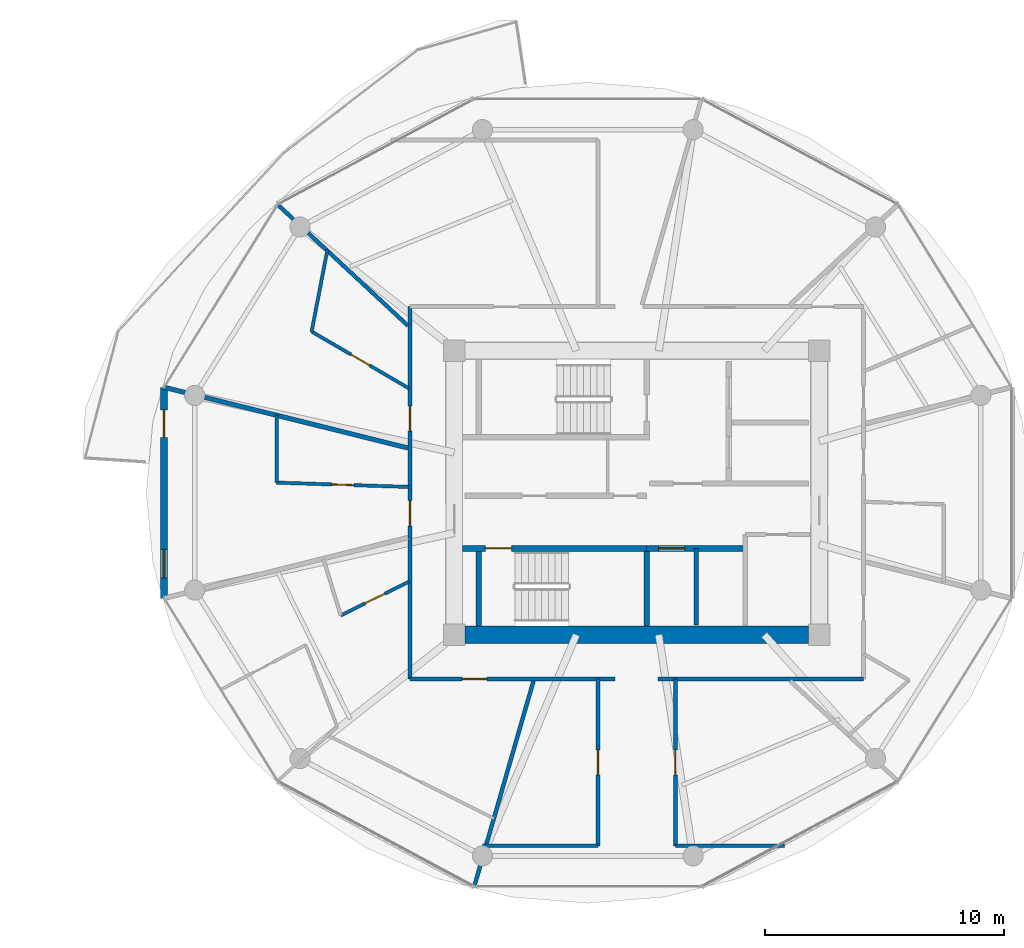
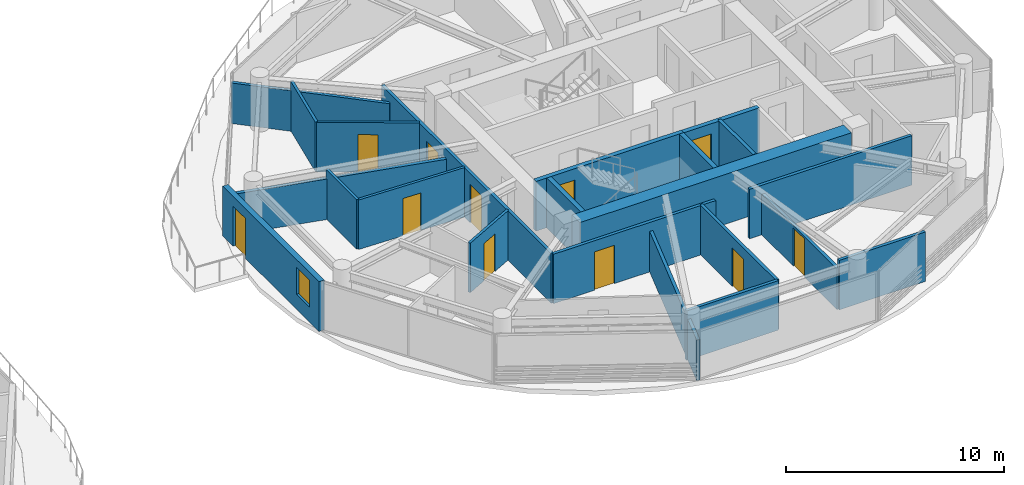
# One storey, part 16 of 22: 22 walls, 11 doors, 1 window, 12 openings.
"""IFC4 building model written with IfcOpenShell, lengths in metres."""

from ifc_helpers import new_model, si_unit, direction, frame, frame_2d, origin, place, context, subcontext, project, spatial, rectangle, extrude, source, transform, mapped, material, layer, layer_set, type_object, type_shapes, element, fill, save


model = new_model("IFC4")

# Units and contexts
model_context = context("Model", 3, precision=1e-05, world=origin(), true_north=direction((0.0, 1.0)))
body_context = subcontext(model_context, "Body", "Model", "MODEL_VIEW")
ifc_project = project(units=[si_unit("LENGTHUNIT", "METRE"), si_unit("AREAUNIT", "SQUARE_METRE"), si_unit("VOLUMEUNIT", "CUBIC_METRE"), si_unit("PLANEANGLEUNIT", "RADIAN"), si_unit("MASSUNIT", "GRAM", prefix="KILO")], contexts=[model_context])

# Site, building, storey
site_placement = place(None, origin())
site = spatial("IfcSite", under=ifc_project, at=site_placement, CompositionType="ELEMENT")
building_placement = place(site_placement, origin())
building = spatial("IfcBuilding", under=site, at=building_placement, Name="Norrkilde Senior Care Towers", CompositionType="ELEMENT")
storey_placement = place(building_placement, frame((0.0, 0.0, 120.64990234375)))
storey = spatial("IfcBuildingStorey", under=building, at=storey_placement, Name="L37", CompositionType="ELEMENT", Elevation=120.64990234375)

# Wall
ifc_material_1 = material(Name="Concrete C60/75", Category="concrete")
ifc_layer_1 = layer(ifc_material_1, 0.719970703125)
ifc_layer_set_1 = layer_set([ifc_layer_1], Name="Concrete C60/75")
wall_type_1 = type_object("IfcWallType", Name="Core Shear Wall Z2 720", PredefinedType="SHEAR", material=ifc_layer_set_1)
shared_shape_1 = source(origin(), body_context, "Body", "SweptSolid", [
    extrude(rectangle(XDim=14.39990234375, YDim=0.719970703125, at=frame_2d((7.199951171875, 0.0))), origin(), (0.0, 0.0, 1.0), 2.7900390625),
])
type_shapes(wall_type_1, [shared_shape_1])
wall_1_placement = place(storey_placement, frame((35.199951171875, -5.949951171875, 0.0), z_axis=(0.0, 0.0, 1.0), x_axis=(-1.0, 0.0, 0.0)))
element("IfcWall", 1, at=wall_1_placement, inside=storey, type_object=wall_type_1, Name="L37 Core E South Shear Wall", PredefinedType="SHEAR", context=body_context, shape_type="MappedRepresentation", body=[
    mapped(shared_shape_1, transform((0.0, 0.0, 0.0), x_axis=(1.0, 0.0, 0.0), y_axis=(0.0, 1.0, 0.0), z_axis=(0.0, 0.0, 1.0), scale=1.0)),
])

# Wall, openings, door, window
ifc_material_2 = material(Name="Precast concrete C45/55", Category="concrete")
ifc_layer_2 = layer(ifc_material_2, 0.2900390625)
ifc_layer_set_2 = layer_set([ifc_layer_2], Name="Precast concrete C45/55")
wall_type_2 = type_object("IfcWallType", Name="Winter Garden Facade Wall 290", PredefinedType="SOLIDWALL", material=ifc_layer_set_2)
shared_shape_2 = source(origin(), body_context, "Body", "SweptSolid", [
    extrude(rectangle(XDim=8.84130859375, YDim=0.2900390625, at=frame_2d((4.420654296875, 0.0))), origin(), (0.0, 0.0, 1.0), 2.7900390625),
])
type_shapes(wall_type_2, [shared_shape_2])
wall_2_placement = place(storey_placement, frame((8.1962890625, -4.420654296875, 0.0), z_axis=(0.0, 0.0, 1.0), x_axis=(0.0, 1.0, 0.0)))
wall_2 = element("IfcWall", 2, at=wall_2_placement, inside=storey, type_object=wall_type_2, Name="L37 Drum E Balcony Access Wall 05", PredefinedType="SOLIDWALL", context=body_context, shape_type="MappedRepresentation", body=[
    mapped(shared_shape_2, transform((0.0, 0.0, 0.0), x_axis=(1.0, 0.0, 0.0), y_axis=(0.0, 1.0, 0.0), z_axis=(0.0, 0.0, 1.0), scale=1.0)),
])
opening_1_placement = place(wall_2_placement, frame((6.739990234375, 0.0, 0.0)))
opening_1 = element("IfcOpeningElement", 3, at=opening_1_placement, cuts=wall_2, Name="Opening D-09", PredefinedType="OPENING", context=body_context, shape_type="SweptSolid", body=[
    extrude(rectangle(XDim=1.14990234375, YDim=2.25, at=frame_2d((0.574951171875, 1.125))), frame((0.0, 0.155029296875, 0.0), z_axis=(0.0, -1.0, 0.0), x_axis=(1.0, 0.0, 0.0)), (0.0, 0.0, 1.0), 0.31005859375),
])
opening_2_placement = place(wall_2_placement, frame((0.85009765625, 0.0, 0.85009765625)))
opening_2 = element("IfcOpeningElement", 4, at=opening_2_placement, cuts=wall_2, Name="Opening WN-07", PredefinedType="OPENING", context=body_context, shape_type="SweptSolid", body=[
    extrude(rectangle(XDim=1.199951171875, YDim=1.5, at=frame_2d((0.60009765625, 0.75))), frame((0.0, 0.155029296875, 0.0), z_axis=(0.0, -1.0, 0.0), x_axis=(1.0, 0.0, 0.0)), (0.0, 0.0, 1.0), 0.31005859375),
])
ifc_material_3 = material(Name="Anodised Aluminium", Category="aluminium")
door_type_1 = type_object("IfcDoorType", Name="Terrace and Balcony Glazed Door 1150x2250", OperationType="NOTDEFINED", PredefinedType="DOOR", material=ifc_material_3)
shared_shape_3 = source(origin(), body_context, "Body", "SweptSolid", [
    extrude(rectangle(XDim=1.14990234375, YDim=2.25, at=frame_2d((0.574951171875, 1.125))), frame((0.0, 0.02490234375, 0.0), z_axis=(0.0, -1.0, 0.0), x_axis=(1.0, 0.0, 0.0)), (0.0, 0.0, 1.0), 0.050048828125),
])
type_shapes(door_type_1, [shared_shape_3])
door_1_placement = place(opening_1_placement, origin())
door_1 = element("IfcDoor", 5, at=door_1_placement, inside=storey, type_object=door_type_1, Name="L37 Drum E Outdoor Terrace Door 05", OperationType="SINGLE_SWING_RIGHT", OverallHeight=2.25, OverallWidth=1.14990234375, PredefinedType="DOOR", context=body_context, shape_type="MappedRepresentation", body=[
    mapped(shared_shape_3, transform((0.0, 0.0, 0.0), x_axis=(1.0, 0.0, 0.0), y_axis=(0.0, 1.0, 0.0), z_axis=(0.0, 0.0, 1.0), scale=1.0)),
])
fill(opening_1, door_1)
ifc_material_4 = material(Name="Triple Low-E Insulated Glazing", Category="glass")
window_type = type_object("IfcWindowType", Name="Stairwell Smoke Vent Window 1200x1500", PartitioningType="SINGLE_PANEL", PredefinedType="WINDOW", material=ifc_material_4)
shared_shape_4 = source(origin(), body_context, "Body", "SweptSolid", [
    extrude(rectangle(XDim=1.199951171875, YDim=1.5, at=frame_2d((0.60009765625, 0.75))), frame((0.0, 0.030029296875, 0.0), z_axis=(0.0, -1.0, 0.0), x_axis=(1.0, 0.0, 0.0)), (0.0, 0.0, 1.0), 0.06005859375),
])
type_shapes(window_type, [shared_shape_4])
window_placement = place(opening_2_placement, origin())
window = element("IfcWindow", 6, at=window_placement, inside=storey, type_object=window_type, Name="L37 Drum E Winter Garden Window 05", OverallHeight=1.5, OverallWidth=1.199951171875, PartitioningType="SINGLE_PANEL", PredefinedType="WINDOW", context=body_context, shape_type="MappedRepresentation", body=[
    mapped(shared_shape_4, transform((0.0, 0.0, 0.0), x_axis=(1.0, 0.0, 0.0), y_axis=(0.0, 1.0, 0.0), z_axis=(0.0, 0.0, 1.0), scale=1.0)),
])
fill(opening_2, window)

# Wall, opening, door
ifc_material_5 = material(Name="Concrete C45/55", Category="concrete")
ifc_layer_3 = layer(ifc_material_5, 0.239990234375)
ifc_layer_set_3 = layer_set([ifc_layer_3], Name="Concrete C45/55")
wall_type_3 = type_object("IfcWallType", Name="Lift and Plant Rated Enclosure Partition 240", PredefinedType="PARTITIONING", material=ifc_layer_set_3)
shared_shape_5 = source(origin(), body_context, "Body", "SweptSolid", [
    extrude(rectangle(XDim=4.130126953125, YDim=0.239990234375, at=frame_2d((2.06494140625, 0.0))), origin(), (0.0, 0.0, 1.0), 2.775146484375),
])
type_shapes(wall_type_3, [shared_shape_5])
wall_3_placement = place(storey_placement, frame((28.419921875, -2.330078125, 0.0), z_axis=(0.0, 0.0, 1.0), x_axis=(1.0, 0.0, 0.0)))
wall_3 = element("IfcWall", 7, at=wall_3_placement, inside=storey, type_object=wall_type_3, Name="WL-INT-L37-E-PKBN", PredefinedType="PARTITIONING", context=body_context, shape_type="MappedRepresentation", body=[
    mapped(shared_shape_5, transform((0.0, 0.0, 0.0), x_axis=(1.0, 0.0, 0.0), y_axis=(0.0, 1.0, 0.0), z_axis=(0.0, 0.0, 1.0), scale=1.0)),
])
opening_3_placement = place(wall_3_placement, frame((0.5, 0.0, 0.0)))
opening_3 = element("IfcOpeningElement", 8, at=opening_3_placement, cuts=wall_3, Name="Opening LD-01", PredefinedType="OPENING", context=body_context, shape_type="SweptSolid", body=[
    extrude(rectangle(XDim=1.10009765625, YDim=2.199951171875, at=frame_2d((0.550048828125, 1.10009765625))), frame((0.0, 0.1298828125, 0.0), z_axis=(0.0, -1.0, 0.0), x_axis=(1.0, 0.0, 0.0)), (0.0, 0.0, 1.0), 0.260009765625),
])
ifc_material_6 = material(Name="Stainless Steel", Category="steel")
door_type_2 = type_object("IfcDoorType", Name="Lift Landing Sliding Door 1100x2200", OperationType="NOTDEFINED", PredefinedType="DOOR", material=ifc_material_6)
shared_shape_6 = source(origin(), body_context, "Body", "SweptSolid", [
    extrude(rectangle(XDim=1.10009765625, YDim=2.199951171875, at=frame_2d((0.550048828125, 1.10009765625))), frame((0.0, 0.02490234375, 0.0), z_axis=(0.0, -1.0, 0.0), x_axis=(1.0, 0.0, 0.0)), (0.0, 0.0, 1.0), 0.050048828125),
])
type_shapes(door_type_2, [shared_shape_6])
door_2_placement = place(opening_3_placement, frame((1.10009765625, 0.0, 0.0), z_axis=(0.0, 0.0, 1.0), x_axis=(-1.0, 0.0, 0.0)))
door_2 = element("IfcDoor", 9, at=door_2_placement, inside=storey, type_object=door_type_2, Name="L37 Passenger Lift E3 Landing Door", OperationType="SLIDING_TO_LEFT", OverallHeight=2.199951171875, OverallWidth=1.10009765625, PredefinedType="DOOR", context=body_context, shape_type="MappedRepresentation", body=[
    mapped(shared_shape_6, transform((0.0, 0.0, 0.0), x_axis=(1.0, 0.0, 0.0), y_axis=(0.0, 1.0, 0.0), z_axis=(0.0, 0.0, 1.0), scale=1.0)),
])
fill(opening_3, door_2)

# Wall
ifc_layer_4 = layer(ifc_material_5, 0.179931640625)
ifc_layer_set_4 = layer_set([ifc_layer_4], Name="Concrete C45/55")
wall_type_4 = type_object("IfcWallType", Name="Hoistway Division Rated Partition 180", PredefinedType="PARTITIONING", material=ifc_layer_set_4)
shared_shape_7 = source(origin(), body_context, "Body", "SweptSolid", [
    extrude(rectangle(XDim=3.219970703125, YDim=0.179931640625, at=frame_2d((1.60986328125, 0.0))), origin(), (0.0, 0.0, 1.0), 2.775146484375),
])
type_shapes(wall_type_4, [shared_shape_7])
wall_4_placement = place(storey_placement, frame((30.5, -5.550048828125, 0.0), z_axis=(0.0, 0.0, 1.0), x_axis=(0.0, 1.0, 0.0)))
element("IfcWall", 10, at=wall_4_placement, inside=storey, type_object=wall_type_4, Name="WL-INT-L37-E-PL34", PredefinedType="PARTITIONING", context=body_context, shape_type="MappedRepresentation", body=[
    mapped(shared_shape_7, transform((0.0, 0.0, 0.0), x_axis=(1.0, 0.0, 0.0), y_axis=(0.0, 1.0, 0.0), z_axis=(0.0, 0.0, 1.0), scale=1.0)),
])

# Wall, openings, doors
ifc_material_7 = material(Name="Gypsum Acoustic Board")
ifc_layer_5 = layer(ifc_material_7, 0.1650390625)
ifc_layer_set_5 = layer_set([ifc_layer_5], Name="Gypsum Acoustic Board")
wall_type_5 = type_object("IfcWallType", Name="Corridor Rated Partition 165", PredefinedType="PARTITIONING", material=ifc_layer_set_5)
shared_shape_8 = source(origin(), body_context, "Body", "SweptSolid", [
    extrude(rectangle(XDim=15.60009765625, YDim=0.1650390625, at=frame_2d((7.800048828125, 0.0))), origin(), (0.0, 0.0, 1.0), 2.775146484375),
])
wall_5_placement = place(storey_placement, frame((18.5, -7.800048828125, 0.0), z_axis=(0.0, 0.0, 1.0), x_axis=(0.0, 1.0, 0.0)))
wall_5 = element("IfcWall", 11, at=wall_5_placement, inside=storey, type_object=wall_type_5, Name="WL-INT-L37-E-CRW-W-0", PredefinedType="PARTITIONING", context=body_context, shape_type="MappedRepresentation", body=[
    mapped(shared_shape_8, transform((0.0, 0.0, 0.0), x_axis=(1.0, 0.0, 0.0), y_axis=(0.0, 1.0, 0.0), z_axis=(0.0, 0.0, 1.0), scale=1.0)),
])
opening_4_placement = place(wall_5_placement, frame((10.3828125, 0.0, 0.0)))
opening_4 = element("IfcOpeningElement", 12, at=opening_4_placement, cuts=wall_5, Name="Opening D-06", PredefinedType="OPENING", context=body_context, shape_type="SweptSolid", body=[
    extrude(rectangle(XDim=1.050048828125, YDim=2.14990234375, at=frame_2d((0.52490234375, 1.074951171875))), frame((0.0, 0.092529296875, 0.0), z_axis=(0.0, -1.0, 0.0), x_axis=(1.0, 0.0, 0.0)), (0.0, 0.0, 1.0), 0.18505859375),
])
opening_5_placement = place(wall_5_placement, frame((6.418701171875, 0.0, 0.0)))
opening_5 = element("IfcOpeningElement", 13, at=opening_5_placement, cuts=wall_5, Name="Opening D-06", PredefinedType="OPENING", context=body_context, shape_type="SweptSolid", body=[
    extrude(rectangle(XDim=1.050048828125, YDim=2.14990234375, at=frame_2d((0.52490234375, 1.074951171875))), frame((0.0, 0.092529296875, 0.0), z_axis=(0.0, -1.0, 0.0), x_axis=(1.0, 0.0, 0.0)), (0.0, 0.0, 1.0), 0.18505859375),
])
ifc_material_8 = material(Name="Nordic Ash Timber", Category="wood")
door_type_3 = type_object("IfcDoorType", Name="Apartment Entrance Fire Door 1050x2150", OperationType="NOTDEFINED", PredefinedType="DOOR", material=ifc_material_8)
shared_shape_9 = source(origin(), body_context, "Body", "SweptSolid", [
    extrude(rectangle(XDim=1.050048828125, YDim=2.14990234375, at=frame_2d((0.52490234375, 1.074951171875))), frame((0.0, 0.02490234375, 0.0), z_axis=(0.0, -1.0, 0.0), x_axis=(1.0, 0.0, 0.0)), (0.0, 0.0, 1.0), 0.050048828125),
])
type_shapes(door_type_3, [shared_shape_9])
door_3_placement = place(opening_4_placement, frame((1.050048828125, 0.0, 0.0), z_axis=(0.0, 0.0, 1.0), x_axis=(-1.0, 0.0, 0.0)))
door_3 = element("IfcDoor", 14, at=door_3_placement, inside=storey, type_object=door_type_3, Name="L37 Studio 37A Entrance Door", OperationType="SINGLE_SWING_LEFT", OverallHeight=2.14990234375, OverallWidth=1.050048828125, PredefinedType="DOOR", context=body_context, shape_type="MappedRepresentation", body=[
    mapped(shared_shape_9, transform((0.0, 0.0, 0.0), x_axis=(1.0, 0.0, 0.0), y_axis=(0.0, 1.0, 0.0), z_axis=(0.0, 0.0, 1.0), scale=1.0)),
])
fill(opening_4, door_3)
door_4_placement = place(opening_5_placement, frame((1.050048828125, 0.0, 0.0), z_axis=(0.0, 0.0, 1.0), x_axis=(-1.0, 0.0, 0.0)))
door_4 = element("IfcDoor", 15, at=door_4_placement, inside=storey, type_object=door_type_3, Name="L37 Studio 37B Entrance Door", OperationType="SINGLE_SWING_RIGHT", OverallHeight=2.14990234375, OverallWidth=1.050048828125, PredefinedType="DOOR", context=body_context, shape_type="MappedRepresentation", body=[
    mapped(shared_shape_9, transform((0.0, 0.0, 0.0), x_axis=(1.0, 0.0, 0.0), y_axis=(0.0, 1.0, 0.0), z_axis=(0.0, 0.0, 1.0), scale=1.0)),
])
fill(opening_5, door_4)

# Wall, opening, door
ifc_layer_6 = layer(ifc_material_5, 0.239990234375)
ifc_layer_set_6 = layer_set([ifc_layer_6], Name="Concrete C45/55")
wall_type_6 = type_object("IfcWallType", Name="Shaft and Stair Enclosure Wall 240", PredefinedType="PARTITIONING", material=ifc_layer_set_6)
shared_shape_10 = source(origin(), body_context, "Body", "SweptSolid", [
    extrude(rectangle(XDim=7.830078125, YDim=0.239990234375, at=frame_2d((3.9150390625, 0.0))), origin(), (0.0, 0.0, 1.0), 2.7900390625),
])
wall_6_placement = place(storey_placement, frame((20.7099609375, -2.330078125, 0.0), z_axis=(0.0, 0.0, 1.0), x_axis=(1.0, 0.0, 0.0)))
wall_6 = element("IfcWall", 16, at=wall_6_placement, inside=storey, type_object=wall_type_6, Name="WL-INT-L37-E-ST2N", PredefinedType="PARTITIONING", context=body_context, shape_type="MappedRepresentation", body=[
    mapped(shared_shape_10, transform((0.0, 0.0, 0.0), x_axis=(1.0, 0.0, 0.0), y_axis=(0.0, 1.0, 0.0), z_axis=(0.0, 0.0, 1.0), scale=1.0)),
])
opening_6_placement = place(wall_6_placement, frame((0.949951171875, 0.0, 0.0)))
opening_6 = element("IfcOpeningElement", 17, at=opening_6_placement, cuts=wall_6, Name="Opening D-03", PredefinedType="OPENING", context=body_context, shape_type="SweptSolid", body=[
    extrude(rectangle(XDim=1.10009765625, YDim=2.14990234375, at=frame_2d((0.550048828125, 1.074951171875))), frame((0.0, 0.1298828125, 0.0), z_axis=(0.0, -1.0, 0.0), x_axis=(1.0, 0.0, 0.0)), (0.0, 0.0, 1.0), 0.260009765625),
])
ifc_material_9 = material(Name="Galvanised Painted Steel", Category="steel")
door_type_4 = type_object("IfcDoorType", Name="Stairwell Protected Fire Door 1100x2150", OperationType="NOTDEFINED", PredefinedType="DOOR", material=ifc_material_9)
shared_shape_11 = source(origin(), body_context, "Body", "SweptSolid", [
    extrude(rectangle(XDim=1.10009765625, YDim=2.14990234375, at=frame_2d((0.550048828125, 1.074951171875))), frame((0.0, 0.02490234375, 0.0), z_axis=(0.0, -1.0, 0.0), x_axis=(1.0, 0.0, 0.0)), (0.0, 0.0, 1.0), 0.050048828125),
])
type_shapes(door_type_4, [shared_shape_11])
door_5_placement = place(opening_6_placement, frame((1.10009765625, 0.0, 0.0), z_axis=(0.0, 0.0, 1.0), x_axis=(-1.0, 0.0, 0.0)))
door_5 = element("IfcDoor", 18, at=door_5_placement, inside=storey, type_object=door_type_4, Name="L37 Stair E2 Fire Door", OperationType="SINGLE_SWING_RIGHT", OverallHeight=2.14990234375, OverallWidth=1.10009765625, PredefinedType="DOOR", context=body_context, shape_type="MappedRepresentation", body=[
    mapped(shared_shape_11, transform((0.0, 0.0, 0.0), x_axis=(1.0, 0.0, 0.0), y_axis=(0.0, 1.0, 0.0), z_axis=(0.0, 0.0, 1.0), scale=1.0)),
])
fill(opening_6, door_5)

# Walls
shared_shape_12 = source(origin(), body_context, "Body", "SweptSolid", [
    extrude(rectangle(XDim=3.14013671875, YDim=0.239990234375, at=frame_2d((1.570068359375, 0.0))), origin(), (0.0, 0.0, 1.0), 2.7900390625),
])
type_shapes(wall_type_6, [shared_shape_10, shared_shape_12])
for number, where, z_axis, x_axis, name in (
    (19, (21.3798828125, -5.590087890625, 0.0), (0.0, 0.0, 1.0), (0.0, 1.0, 0.0), "WL-INT-L37-E-ST2W"),
    (20, (28.419921875, -5.590087890625, 0.0), (0.0, 0.0, 1.0), (0.0, 1.0, 0.0), "WL-INT-L37-E-ST2E"),
):
    element("IfcWall", number, at=place(storey_placement, frame(where, z_axis=z_axis, x_axis=x_axis)), inside=storey, type_object=wall_type_6, Name=name, PredefinedType="PARTITIONING", context=body_context, shape_type="MappedRepresentation", body=[
        mapped(shared_shape_12, transform((0.0, 0.0, 0.0), x_axis=(1.0, 0.0, 0.0), y_axis=(0.0, 1.0, 0.0), z_axis=(0.0, 0.0, 1.0), scale=1.0)),
    ])
ifc_layer_7 = layer(ifc_material_7, 0.18994140625)
ifc_layer_set_7 = layer_set([ifc_layer_7], Name="Gypsum Acoustic Board")
wall_type_7 = type_object("IfcWallType", Name="Unit Demising Acoustic Wall 190", PredefinedType="PARTITIONING", material=ifc_layer_set_7)
shared_shape_13 = source(origin(), body_context, "Body", "SweptSolid", [
    extrude(rectangle(XDim=10.5556640625, YDim=0.18994140625, at=frame_2d((5.27783203125, 0.0))), origin(), (0.0, 0.0, 1.0), 2.275146484375),
])
type_shapes(wall_type_7, [shared_shape_13])
wall_7_placement = place(storey_placement, frame((18.419921875, 1.875, 0.0), z_axis=(0.0, 0.0, 1.0), x_axis=(-0.970363857851, 0.241648470667, 0.0)))
element("IfcWall", 21, at=wall_7_placement, inside=storey, type_object=wall_type_7, Name="WL-INT-L37-E-DEM-05-0", PredefinedType="PARTITIONING", context=body_context, shape_type="MappedRepresentation", body=[
    mapped(shared_shape_13, transform((0.0, 0.0, 0.0), x_axis=(1.0, 0.0, 0.0), y_axis=(0.0, 1.0, 0.0), z_axis=(0.0, 0.0, 1.0), scale=1.0)),
])
shared_shape_14 = source(origin(), body_context, "Body", "SweptSolid", [
    extrude(rectangle(XDim=8.60009765625, YDim=0.1650390625, at=frame_2d((4.300048828125, 0.0))), origin(), (0.0, 0.0, 1.0), 2.775146484375),
])
wall_8_placement = place(storey_placement, frame((37.5, -7.800048828125, 0.0), z_axis=(0.0, 0.0, 1.0), x_axis=(-1.0, 0.0, 0.0)))
element("IfcWall", 22, at=wall_8_placement, inside=storey, type_object=wall_type_5, Name="WL-INT-L37-E-CRW-S-0", PredefinedType="PARTITIONING", context=body_context, shape_type="MappedRepresentation", body=[
    mapped(shared_shape_14, transform((0.0, 0.0, 0.0), x_axis=(1.0, 0.0, 0.0), y_axis=(0.0, 1.0, 0.0), z_axis=(0.0, 0.0, 1.0), scale=1.0)),
])

# Wall, opening, door
wall_9_placement = place(storey_placement, frame((27.10009765625, -7.800048828125, 0.0), z_axis=(0.0, 0.0, 1.0), x_axis=(-1.0, 0.0, 0.0)))
wall_9 = element("IfcWall", 23, at=wall_9_placement, inside=storey, type_object=wall_type_5, Name="WL-INT-L37-E-CRW-S-1", PredefinedType="PARTITIONING", context=body_context, shape_type="MappedRepresentation", body=[
    mapped(shared_shape_14, transform((0.0, 0.0, 0.0), x_axis=(1.0, 0.0, 0.0), y_axis=(0.0, 1.0, 0.0), z_axis=(0.0, 0.0, 1.0), scale=1.0)),
])
opening_7_placement = place(wall_9_placement, frame((5.375, 0.0, 0.0)))
opening_7 = element("IfcOpeningElement", 24, at=opening_7_placement, cuts=wall_9, Name="Opening D-06", PredefinedType="OPENING", context=body_context, shape_type="SweptSolid", body=[
    extrude(rectangle(XDim=1.050048828125, YDim=2.14990234375, at=frame_2d((0.52490234375, 1.074951171875))), frame((0.0, 0.092529296875, 0.0), z_axis=(0.0, -1.0, 0.0), x_axis=(1.0, 0.0, 0.0)), (0.0, 0.0, 1.0), 0.18505859375),
])
door_6_placement = place(opening_7_placement, frame((1.050048828125, 0.0, 0.0), z_axis=(0.0, 0.0, 1.0), x_axis=(-1.0, 0.0, 0.0)))
door_6 = element("IfcDoor", 25, at=door_6_placement, inside=storey, type_object=door_type_3, Name="Apartment 37C Entrance Door", OperationType="SINGLE_SWING_LEFT", OverallHeight=2.14990234375, OverallWidth=1.050048828125, PredefinedType="DOOR", context=body_context, shape_type="MappedRepresentation", body=[
    mapped(shared_shape_9, transform((0.0, 0.0, 0.0), x_axis=(1.0, 0.0, 0.0), y_axis=(0.0, 1.0, 0.0), z_axis=(0.0, 0.0, 1.0), scale=1.0)),
])
fill(opening_7, door_6)

# Walls
shared_shape_15 = source(origin(), body_context, "Body", "SweptSolid", [
    extrude(rectangle(XDim=8.9892578125, YDim=0.1650390625, at=frame_2d((4.49462890625, 0.0))), origin(), (0.0, 0.0, 1.0), 2.275146484375),
])
wall_10_placement = place(storey_placement, frame((23.677978515625, -7.8798828125, 0.0), z_axis=(0.0, 0.0, 1.0), x_axis=(-0.27702323008, -0.960863221274, 0.0)))
element("IfcWall", 26, at=wall_10_placement, inside=storey, type_object=wall_type_5, Name="WL-INT-L37-E-DEM-08-0", PredefinedType="PARTITIONING", context=body_context, shape_type="MappedRepresentation", body=[
    mapped(shared_shape_15, transform((0.0, 0.0, 0.0), x_axis=(1.0, 0.0, 0.0), y_axis=(0.0, 1.0, 0.0), z_axis=(0.0, 0.0, 1.0), scale=1.0)),
])
shared_shape_16 = source(origin(), body_context, "Body", "SweptSolid", [
    extrude(rectangle(XDim=7.482177734375, YDim=0.1650390625, at=frame_2d((3.7412109375, 0.0))), origin(), (0.0, 0.0, 1.0), 2.275146484375),
])
wall_11_placement = place(storey_placement, frame((18.419921875, 6.998046875, 0.0), z_axis=(0.0, 0.0, 1.0), x_axis=(-0.732508698043, 0.680757671489, 0.0)))
element("IfcWall", 27, at=wall_11_placement, inside=storey, type_object=wall_type_5, Name="WL-INT-L37-E-DEM-04-0", PredefinedType="PARTITIONING", context=body_context, shape_type="MappedRepresentation", body=[
    mapped(shared_shape_16, transform((0.0, 0.0, 0.0), x_axis=(1.0, 0.0, 0.0), y_axis=(0.0, 1.0, 0.0), z_axis=(0.0, 0.0, 1.0), scale=1.0)),
])

# Wall, opening, door
ifc_layer_8 = layer(ifc_material_7, 0.139892578125)
ifc_layer_set_8 = layer_set([ifc_layer_8], Name="Gypsum Acoustic Board")
wall_type_8 = type_object("IfcWallType", Name="En-suite Wet Room Wall 140", PredefinedType="PARTITIONING", material=ifc_layer_set_8)
shared_shape_17 = source(origin(), body_context, "Body", "SweptSolid", [
    extrude(rectangle(XDim=4.7353515625, YDim=0.139892578125, at=frame_2d((2.36767578125, 0.0))), origin(), (0.0, 0.0, 1.0), 2.775146484375),
])
wall_12_placement = place(storey_placement, frame((18.469970703125, 4.36767578125, 0.0), z_axis=(0.0, 0.0, 1.0), x_axis=(-0.863537576642, 0.504284496814, 0.0)))
wall_12 = element("IfcWall", 28, at=wall_12_placement, inside=storey, type_object=wall_type_8, Name="WL-INT-L37-E-ES-04", PredefinedType="PARTITIONING", context=body_context, shape_type="MappedRepresentation", body=[
    mapped(shared_shape_17, transform((0.0, 0.0, 0.0), x_axis=(1.0, 0.0, 0.0), y_axis=(0.0, 1.0, 0.0), z_axis=(0.0, 0.0, 1.0), scale=1.0)),
])
opening_8_placement = place(wall_12_placement, frame((1.90771484375, 0.0, 0.0)))
opening_8 = element("IfcOpeningElement", 29, at=opening_8_placement, cuts=wall_12, Name="Opening D-08", PredefinedType="OPENING", context=body_context, shape_type="SweptSolid", body=[
    extrude(rectangle(XDim=0.919921875, YDim=2.10009765625, at=frame_2d((0.4599609375, 1.050048828125))), frame((0.0, 0.079833984375, 0.0), z_axis=(0.0, -1.0, 0.0), x_axis=(1.0, 0.0, 0.0)), (0.0, 0.0, 1.0), 0.159912109375),
])
door_type_5 = type_object("IfcDoorType", Name="Accessible Wet Room Door 920x2100", OperationType="NOTDEFINED", PredefinedType="DOOR", material=ifc_material_8)
shared_shape_18 = source(origin(), body_context, "Body", "SweptSolid", [
    extrude(rectangle(XDim=0.919921875, YDim=2.10009765625, at=frame_2d((0.4599609375, 1.050048828125))), frame((0.0, 0.02490234375, 0.0), z_axis=(0.0, -1.0, 0.0), x_axis=(1.0, 0.0, 0.0)), (0.0, 0.0, 1.0), 0.050048828125),
])
type_shapes(door_type_5, [shared_shape_18])
door_7_placement = place(opening_8_placement, origin())
door_7 = element("IfcDoor", 30, at=door_7_placement, inside=storey, type_object=door_type_5, Name="L37 Studio 37A Bathroom Door", OperationType="SINGLE_SWING_RIGHT", OverallHeight=2.10009765625, OverallWidth=0.919921875, PredefinedType="DOOR", context=body_context, shape_type="MappedRepresentation", body=[
    mapped(shared_shape_18, transform((0.0, 0.0, 0.0), x_axis=(1.0, 0.0, 0.0), y_axis=(0.0, 1.0, 0.0), z_axis=(0.0, 0.0, 1.0), scale=1.0)),
])
fill(opening_8, door_7)

# Wall
shared_shape_19 = source(origin(), body_context, "Body", "SweptSolid", [
    extrude(rectangle(XDim=3.4990234375, YDim=0.139892578125, at=frame_2d((1.74951171875, 0.0))), origin(), (0.0, 0.0, 1.0), 2.775146484375),
])
wall_13_placement = place(storey_placement, frame((14.380859375, 6.755615234375, 0.0), z_axis=(0.0, 0.0, 1.0), x_axis=(0.18957713629, 0.981865830649, 0.0)))
element("IfcWall", 31, at=wall_13_placement, inside=storey, type_object=wall_type_8, Name="WL-INT-L37-E-EF-04", PredefinedType="PARTITIONING", context=body_context, shape_type="MappedRepresentation", body=[
    mapped(shared_shape_19, transform((0.0, 0.0, 0.0), x_axis=(1.0, 0.0, 0.0), y_axis=(0.0, 1.0, 0.0), z_axis=(0.0, 0.0, 1.0), scale=1.0)),
])

# Wall, opening, door
shared_shape_20 = source(origin(), body_context, "Body", "SweptSolid", [
    extrude(rectangle(XDim=5.556884765625, YDim=0.139892578125, at=frame_2d((2.7783203125, 0.0))), origin(), (0.0, 0.0, 1.0), 2.775146484375),
])
wall_14_placement = place(storey_placement, frame((18.469970703125, 0.244140625, 0.0), z_axis=(0.0, 0.0, 1.0), x_axis=(-0.999468495627, 0.03259948234, 0.0)))
wall_14 = element("IfcWall", 32, at=wall_14_placement, inside=storey, type_object=wall_type_8, Name="WL-INT-L37-E-ES-05", PredefinedType="PARTITIONING", context=body_context, shape_type="MappedRepresentation", body=[
    mapped(shared_shape_20, transform((0.0, 0.0, 0.0), x_axis=(1.0, 0.0, 0.0), y_axis=(0.0, 1.0, 0.0), z_axis=(0.0, 0.0, 1.0), scale=1.0)),
])
opening_9_placement = place(wall_14_placement, frame((2.318359375, 0.0, 0.0)))
opening_9 = element("IfcOpeningElement", 33, at=opening_9_placement, cuts=wall_14, Name="Opening D-08", PredefinedType="OPENING", context=body_context, shape_type="SweptSolid", body=[
    extrude(rectangle(XDim=0.919921875, YDim=2.10009765625, at=frame_2d((0.4599609375, 1.050048828125))), frame((0.0, 0.079833984375, 0.0), z_axis=(0.0, -1.0, 0.0), x_axis=(1.0, 0.0, 0.0)), (0.0, 0.0, 1.0), 0.159912109375),
])
door_8_placement = place(opening_9_placement, origin())
door_8 = element("IfcDoor", 34, at=door_8_placement, inside=storey, type_object=door_type_5, Name="L37 Studio 37B Bathroom Door", OperationType="SINGLE_SWING_LEFT", OverallHeight=2.10009765625, OverallWidth=0.919921875, PredefinedType="DOOR", context=body_context, shape_type="MappedRepresentation", body=[
    mapped(shared_shape_18, transform((0.0, 0.0, 0.0), x_axis=(1.0, 0.0, 0.0), y_axis=(0.0, 1.0, 0.0), z_axis=(0.0, 0.0, 1.0), scale=1.0)),
])
fill(opening_9, door_8)

# Wall
shared_shape_21 = source(origin(), body_context, "Body", "SweptSolid", [
    extrude(rectangle(XDim=2.836669921875, YDim=0.139892578125, at=frame_2d((1.41845703125, 0.0))), origin(), (0.0, 0.0, 1.0), 2.775146484375),
])
wall_15_placement = place(storey_placement, frame((12.916015625, 0.42529296875, 0.0), z_axis=(0.0, 0.0, 1.0), x_axis=(0.002409838945, 0.999997096334, 0.0)))
element("IfcWall", 35, at=wall_15_placement, inside=storey, type_object=wall_type_8, Name="WL-INT-L37-E-EF-05", PredefinedType="PARTITIONING", context=body_context, shape_type="MappedRepresentation", body=[
    mapped(shared_shape_21, transform((0.0, 0.0, 0.0), x_axis=(1.0, 0.0, 0.0), y_axis=(0.0, 1.0, 0.0), z_axis=(0.0, 0.0, 1.0), scale=1.0)),
])

# Wall, opening, door
shared_shape_22 = source(origin(), body_context, "Body", "SweptSolid", [
    extrude(rectangle(XDim=6.989990234375, YDim=0.1650390625, at=frame_2d((3.4951171875, 0.0))), origin(), (0.0, 0.0, 1.0), 2.275146484375),
])
wall_16_placement = place(storey_placement, frame((29.6201171875, -14.7900390625, 0.0), z_axis=(0.0, 0.0, 1.0), x_axis=(0.0, 1.0, 0.0)))
wall_16 = element("IfcWall", 36, at=wall_16_placement, inside=storey, type_object=wall_type_5, Name="WL-INT-L37-E-PKW-SEL", PredefinedType="PARTITIONING", context=body_context, shape_type="MappedRepresentation", body=[
    mapped(shared_shape_22, transform((0.0, 0.0, 0.0), x_axis=(1.0, 0.0, 0.0), y_axis=(0.0, 1.0, 0.0), z_axis=(0.0, 0.0, 1.0), scale=1.0)),
])
opening_10_placement = place(wall_16_placement, frame((2.969970703125, 0.0, 0.0)))
opening_10 = element("IfcOpeningElement", 37, at=opening_10_placement, cuts=wall_16, Name="Opening D-06", PredefinedType="OPENING", context=body_context, shape_type="SweptSolid", body=[
    extrude(rectangle(XDim=1.050048828125, YDim=2.14990234375, at=frame_2d((0.52490234375, 1.074951171875))), frame((0.0, 0.092529296875, 0.0), z_axis=(0.0, -1.0, 0.0), x_axis=(1.0, 0.0, 0.0)), (0.0, 0.0, 1.0), 0.18505859375),
])
door_9_placement = place(opening_10_placement, frame((1.050048828125, 0.0, 0.0), z_axis=(0.0, 0.0, 1.0), x_axis=(-1.0, 0.0, 0.0)))
door_9 = element("IfcDoor", 38, at=door_9_placement, inside=storey, type_object=door_type_3, Name="L37 Reading Lounge SEL Door", OperationType="SINGLE_SWING_RIGHT", OverallHeight=2.14990234375, OverallWidth=1.050048828125, PredefinedType="DOOR", context=body_context, shape_type="MappedRepresentation", body=[
    mapped(shared_shape_9, transform((0.0, 0.0, 0.0), x_axis=(1.0, 0.0, 0.0), y_axis=(0.0, 1.0, 0.0), z_axis=(0.0, 0.0, 1.0), scale=1.0)),
])
fill(opening_10, door_9)

# Wall
shared_shape_23 = source(origin(), body_context, "Body", "SweptSolid", [
    extrude(rectangle(XDim=4.5693359375, YDim=0.1650390625, at=frame_2d((2.28466796875, 0.0))), origin(), (0.0, 0.0, 1.0), 2.775146484375),
])
wall_17_placement = place(storey_placement, frame((29.6201171875, -14.7900390625, 0.0), z_axis=(0.0, 0.0, 1.0), x_axis=(1.0, 0.0, 0.0)))
element("IfcWall", 39, at=wall_17_placement, inside=storey, type_object=wall_type_5, Name="WL-INT-L37-E-PKH-SEL-0", PredefinedType="PARTITIONING", context=body_context, shape_type="MappedRepresentation", body=[
    mapped(shared_shape_23, transform((0.0, 0.0, 0.0), x_axis=(1.0, 0.0, 0.0), y_axis=(0.0, 1.0, 0.0), z_axis=(0.0, 0.0, 1.0), scale=1.0)),
])

# Wall, opening, door
shared_shape_24 = source(origin(), body_context, "Body", "SweptSolid", [
    extrude(rectangle(XDim=6.989990234375, YDim=0.1650390625, at=frame_2d((3.4951171875, 0.0))), origin(), (0.0, 0.0, 1.0), 2.775146484375),
])
wall_18_placement = place(storey_placement, frame((26.3798828125, -14.7900390625, 0.0), z_axis=(0.0, 0.0, 1.0), x_axis=(0.0, 1.0, 0.0)))
wall_18 = element("IfcWall", 40, at=wall_18_placement, inside=storey, type_object=wall_type_5, Name="WL-INT-L37-E-PKW-SWL", PredefinedType="PARTITIONING", context=body_context, shape_type="MappedRepresentation", body=[
    mapped(shared_shape_24, transform((0.0, 0.0, 0.0), x_axis=(1.0, 0.0, 0.0), y_axis=(0.0, 1.0, 0.0), z_axis=(0.0, 0.0, 1.0), scale=1.0)),
])
opening_11_placement = place(wall_18_placement, frame((2.969970703125, 0.0, 0.0)))
opening_11 = element("IfcOpeningElement", 41, at=opening_11_placement, cuts=wall_18, Name="Opening D-06", PredefinedType="OPENING", context=body_context, shape_type="SweptSolid", body=[
    extrude(rectangle(XDim=1.050048828125, YDim=2.14990234375, at=frame_2d((0.52490234375, 1.074951171875))), frame((0.0, 0.092529296875, 0.0), z_axis=(0.0, -1.0, 0.0), x_axis=(1.0, 0.0, 0.0)), (0.0, 0.0, 1.0), 0.18505859375),
])
door_10_placement = place(opening_11_placement, frame((1.050048828125, 0.0, 0.0), z_axis=(0.0, 0.0, 1.0), x_axis=(-1.0, 0.0, 0.0)))
door_10 = element("IfcDoor", 42, at=door_10_placement, inside=storey, type_object=door_type_3, Name="L37 Reading Lounge SWL Door", OperationType="SINGLE_SWING_RIGHT", OverallHeight=2.14990234375, OverallWidth=1.050048828125, PredefinedType="DOOR", context=body_context, shape_type="MappedRepresentation", body=[
    mapped(shared_shape_9, transform((0.0, 0.0, 0.0), x_axis=(1.0, 0.0, 0.0), y_axis=(0.0, 1.0, 0.0), z_axis=(0.0, 0.0, 1.0), scale=1.0)),
])
fill(opening_11, door_10)

# Wall
shared_shape_25 = source(origin(), body_context, "Body", "SweptSolid", [
    extrude(rectangle(XDim=4.8505859375, YDim=0.1650390625, at=frame_2d((2.42529296875, 0.0))), origin(), (0.0, 0.0, 1.0), 2.775146484375),
])
type_shapes(wall_type_5, [shared_shape_8, shared_shape_14, shared_shape_15, shared_shape_16, shared_shape_22, shared_shape_23, shared_shape_24, shared_shape_25])
wall_19_placement = place(storey_placement, frame((21.529296875, -14.7900390625, 0.0), z_axis=(0.0, 0.0, 1.0), x_axis=(1.0, 0.0, 0.0)))
element("IfcWall", 43, at=wall_19_placement, inside=storey, type_object=wall_type_5, Name="WL-INT-L37-E-PKH-SWL-0", PredefinedType="PARTITIONING", context=body_context, shape_type="MappedRepresentation", body=[
    mapped(shared_shape_25, transform((0.0, 0.0, 0.0), x_axis=(1.0, 0.0, 0.0), y_axis=(0.0, 1.0, 0.0), z_axis=(0.0, 0.0, 1.0), scale=1.0)),
])

# Wall, opening, door
shared_shape_26 = source(origin(), body_context, "Body", "SweptSolid", [
    extrude(rectangle(XDim=3.20263671875, YDim=0.139892578125, at=frame_2d((1.601318359375, 0.0))), origin(), (0.0, 0.0, 1.0), 2.775146484375),
])
type_shapes(wall_type_8, [shared_shape_17, shared_shape_19, shared_shape_20, shared_shape_21, shared_shape_26])
wall_20_placement = place(storey_placement, frame((18.469970703125, -3.716552734375, 0.0), z_axis=(0.0, 0.0, 1.0), x_axis=(-0.895552551978, -0.444955758077, 0.0)))
wall_20 = element("IfcWall", 44, at=wall_20_placement, inside=storey, type_object=wall_type_8, Name="WL-INT-L37-E-UBTS-06", PredefinedType="PARTITIONING", context=body_context, shape_type="MappedRepresentation", body=[
    mapped(shared_shape_26, transform((0.0, 0.0, 0.0), x_axis=(1.0, 0.0, 0.0), y_axis=(0.0, 1.0, 0.0), z_axis=(0.0, 0.0, 1.0), scale=1.0)),
])
opening_12_placement = place(wall_20_placement, frame((1.141357421875, 0.0, 0.0)))
opening_12 = element("IfcOpeningElement", 45, at=opening_12_placement, cuts=wall_20, Name="Opening D-08", PredefinedType="OPENING", context=body_context, shape_type="SweptSolid", body=[
    extrude(rectangle(XDim=0.919921875, YDim=2.10009765625, at=frame_2d((0.4599609375, 1.050048828125))), frame((0.0, 0.079833984375, 0.0), z_axis=(0.0, -1.0, 0.0), x_axis=(1.0, 0.0, 0.0)), (0.0, 0.0, 1.0), 0.159912109375),
])
door_11_placement = place(opening_12_placement, origin())
door_11 = element("IfcDoor", 46, at=door_11_placement, inside=storey, type_object=door_type_5, Name="Apartment 37C Bathroom Door", OperationType="SINGLE_SWING_RIGHT", OverallHeight=2.10009765625, OverallWidth=0.919921875, PredefinedType="DOOR", context=body_context, shape_type="MappedRepresentation", body=[
    mapped(shared_shape_18, transform((0.0, 0.0, 0.0), x_axis=(1.0, 0.0, 0.0), y_axis=(0.0, 1.0, 0.0), z_axis=(0.0, 0.0, 1.0), scale=1.0)),
])
fill(opening_12, door_11)

save(model, "model.ifc")
